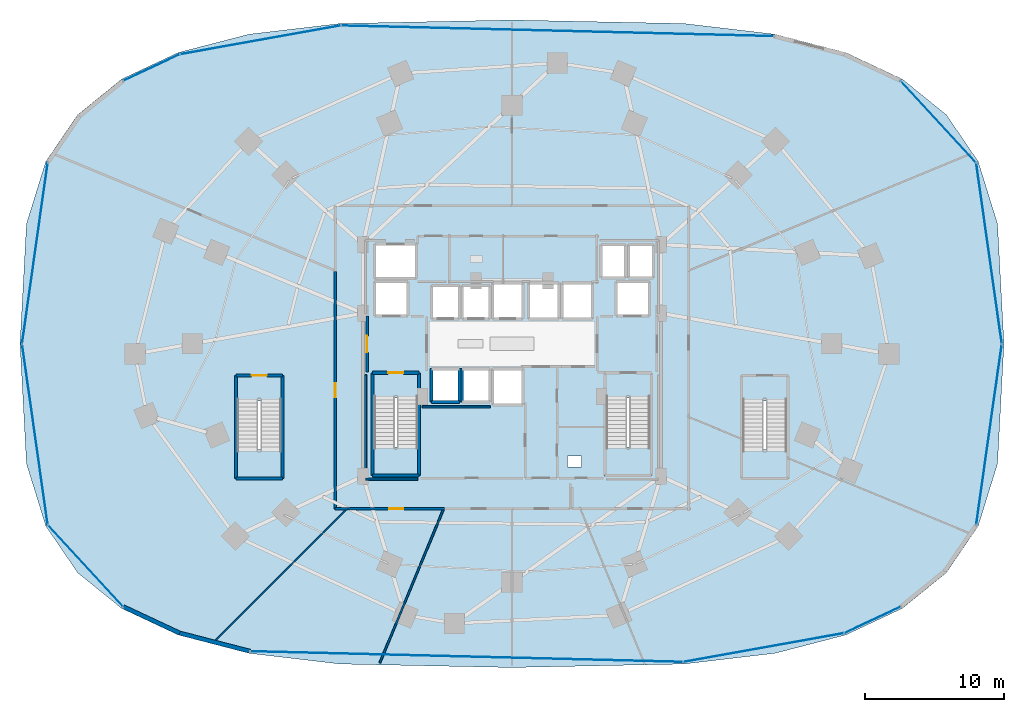
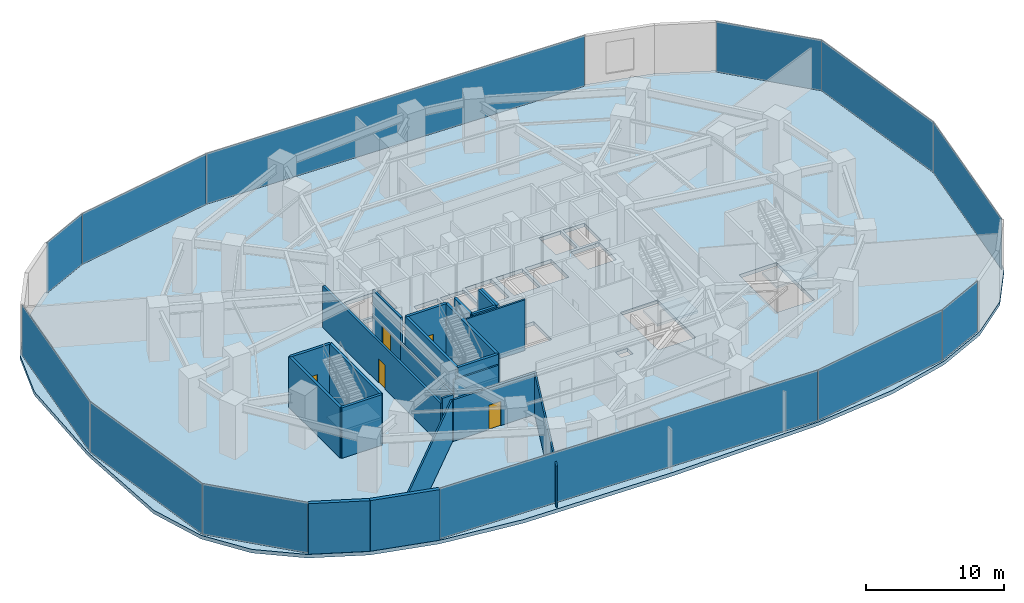
# One storey, part 21 of 27: 23 walls, 12 plates, 5 doors, 5 slabs, 5 openings, 8 elements without a shape of their own.
"""IFC4 building model written with IfcOpenShell, lengths in metres."""

from ifc_helpers import new_model, si_unit, direction, frame, frame_2d, origin, origin_2d, place, context, subcontext, project, spatial, polyline, rectangle, outline, extrude, material, layer, layer_set, type_object, element, fill, aggregate, save


model = new_model("IFC4")

# Units and contexts
model_context = context("Model", 3, precision=1e-05, world=origin(), true_north=direction((0.0, 1.0)))
body_context = subcontext(model_context, "Body", "Model", "MODEL_VIEW")
ifc_project = project(units=[si_unit("LENGTHUNIT", "METRE"), si_unit("AREAUNIT", "SQUARE_METRE"), si_unit("VOLUMEUNIT", "CUBIC_METRE"), si_unit("PLANEANGLEUNIT", "RADIAN"), si_unit("MASSUNIT", "GRAM", prefix="KILO")], contexts=[model_context])

# Site, building, storey
site_placement = place(None, origin())
site = spatial("IfcSite", under=ifc_project, at=site_placement, CompositionType="ELEMENT")
building_placement = place(site_placement, origin())
building = spatial("IfcBuilding", under=site, at=building_placement, Name="Vorneva Point Tower", CompositionType="ELEMENT")
storey_placement = place(building_placement, frame((0.0, 0.0, 4.800048828125)))
storey = spatial("IfcBuildingStorey", under=building, at=storey_placement, Name="L01", CompositionType="ELEMENT", Elevation=4.800048828125)

# Curtain wall, plates
ifc_material_1 = material(Name="Pale anodised aluminium", Category="aluminium")
curtain_wall_type = type_object("IfcCurtainWallType", Name="CW-POD-SYS", PredefinedType="NOTDEFINED", material=ifc_material_1)
curtain_wall_1_placement = place(storey_placement, origin())
curtain_wall_1 = element("IfcCurtainWall", 1, at=curtain_wall_1_placement, inside=storey, type_object=curtain_wall_type, Name="L01 Unitised Curtain Wall CW-L01-R01", PredefinedType="NOTDEFINED")
ifc_material_2 = material(Name="Double low-e laminated glass IGU", Category="glass")
ifc_layer_1 = layer(ifc_material_2, 0.035888671875)
ifc_layer_set_1 = layer_set([ifc_layer_1], Name="Double low-e laminated glass IGU")
plate_type = type_object("IfcPlateType", Name="CW-PNL-VIS", PredefinedType="CURTAIN_PANEL", material=ifc_layer_set_1)
plate_1_placement = place(storey_placement, frame((72.396484375, 19.471435546875, -0.02001953125), z_axis=(0.0, 0.0, 1.0), x_axis=(0.140348276471, 0.990102197398, 0.0)))
plate_1 = element("IfcPlate", 2, at=plate_1_placement, type_object=plate_type, Name="CW-L01-R01 Glazed Panel 01", PredefinedType="CURTAIN_PANEL", context=body_context, shape_type="SweptSolid", body=[
    extrude(rectangle(XDim=13.1376953125, YDim=0.035888671875, at=origin_2d()), origin(), (0.0, 0.0, 1.0), 4.52001953125),
])
plate_2_placement = place(storey_placement, frame((72.396484375, 32.528564453125, -0.02001953125), z_axis=(0.0, 0.0, 1.0), x_axis=(-0.140348276471, 0.990102197398, 0.0)))
plate_2 = element("IfcPlate", 3, at=plate_2_placement, type_object=plate_type, Name="CW-L01-R01 Glazed Panel 02", PredefinedType="CURTAIN_PANEL", context=body_context, shape_type="SweptSolid", body=[
    extrude(rectangle(XDim=13.1376953125, YDim=0.035888671875, at=origin_2d()), origin(), (0.0, 0.0, 1.0), 4.52001953125),
])
plate_3_placement = place(storey_placement, frame((68.746826171875, 42.01025390625, -0.02001953125), z_axis=(0.0, 0.0, 1.0), x_axis=(-0.678057049823, 0.735009276939, 0.0)))
plate_3 = element("IfcPlate", 4, at=plate_3_placement, type_object=plate_type, Name="CW-L01-R01 Glazed Panel 03", PredefinedType="CURTAIN_PANEL", context=body_context, shape_type="SweptSolid", body=[
    extrude(rectangle(XDim=7.98583984375, YDim=0.035888671875, at=origin_2d()), origin(), (0.0, 0.0, 1.0), 4.52001953125),
])
aggregate(curtain_wall_1, [plate_1, plate_2, plate_3])

curtain_wall_2_placement = place(storey_placement, origin())
curtain_wall_2 = element("IfcCurtainWall", 5, at=curtain_wall_2_placement, inside=storey, type_object=curtain_wall_type, Name="L01 Unitised Curtain Wall CW-L01-R02", PredefinedType="NOTDEFINED")
plate_4_placement = place(storey_placement, frame((41.26611328125, 48.5595703125, -0.02001953125), z_axis=(0.0, 0.0, 1.0), x_axis=(-0.99969763965, 0.024589210593, 0.0)))
plate_4 = element("IfcPlate", 6, at=plate_4_placement, type_object=plate_type, Name="CW-L01-R02 Glazed Panel 01", PredefinedType="CURTAIN_PANEL", context=body_context, shape_type="SweptSolid", body=[
    extrude(rectangle(XDim=31.2060546875, YDim=0.035888671875, at=origin_2d()), origin(), (0.0, 0.0, 1.0), 4.52001953125),
])
plate_5_placement = place(storey_placement, frame((19.840087890625, 47.90380859375, -0.02001953125), z_axis=(0.0, 0.0, 1.0), x_axis=(-0.984318996588, -0.176397599067, 0.0)))
plate_5 = element("IfcPlate", 7, at=plate_5_placement, type_object=plate_type, Name="CW-L01-R02 Glazed Panel 02", PredefinedType="CURTAIN_PANEL", context=body_context, shape_type="SweptSolid", body=[
    extrude(rectangle(XDim=11.74072265625, YDim=0.035888671875, at=origin_2d()), origin(), (0.0, 0.0, 1.0), 4.52001953125),
])
plate_6_placement = place(storey_placement, frame((12.007080078125, 45.913818359375, -0.02001953125), z_axis=(0.0, 0.0, 1.0), x_axis=(-0.905672423449, -0.423978137884, 0.0)))
plate_6 = element("IfcPlate", 8, at=plate_6_placement, type_object=plate_type, Name="CW-L01-R02 Glazed Panel 03", PredefinedType="CURTAIN_PANEL", context=body_context, shape_type="SweptSolid", body=[
    extrude(rectangle(XDim=4.432373046875, YDim=0.035888671875, at=origin_2d()), origin(), (0.0, 0.0, 1.0), 4.52001953125),
])
aggregate(curtain_wall_2, [plate_4, plate_5, plate_6])

curtain_wall_3_placement = place(storey_placement, origin())
curtain_wall_3 = element("IfcCurtainWall", 9, at=curtain_wall_3_placement, inside=storey, type_object=curtain_wall_type, Name="L01 Unitised Curtain Wall CW-L01-R03", PredefinedType="NOTDEFINED")
plate_7_placement = place(storey_placement, frame((3.603515625, 32.528564453125, -0.02001953125), z_axis=(0.0, 0.0, 1.0), x_axis=(-0.140348276471, -0.990102197398, 0.0)))
plate_7 = element("IfcPlate", 10, at=plate_7_placement, type_object=plate_type, Name="CW-L01-R03 Glazed Panel 01", PredefinedType="CURTAIN_PANEL", context=body_context, shape_type="SweptSolid", body=[
    extrude(rectangle(XDim=13.1376953125, YDim=0.035888671875, at=origin_2d()), origin(), (0.0, 0.0, 1.0), 4.52001953125),
])
plate_8_placement = place(storey_placement, frame((3.603515625, 19.471435546875, -0.02001953125), z_axis=(0.0, 0.0, 1.0), x_axis=(0.140348276471, -0.990102197398, 0.0)))
plate_8 = element("IfcPlate", 11, at=plate_8_placement, type_object=plate_type, Name="CW-L01-R03 Glazed Panel 02", PredefinedType="CURTAIN_PANEL", context=body_context, shape_type="SweptSolid", body=[
    extrude(rectangle(XDim=13.1376953125, YDim=0.035888671875, at=origin_2d()), origin(), (0.0, 0.0, 1.0), 4.52001953125),
])
plate_9_placement = place(storey_placement, frame((7.253173828125, 9.98974609375, -0.02001953125), z_axis=(0.0, 0.0, 1.0), x_axis=(0.678057049823, -0.735009276939, 0.0)))
plate_9 = element("IfcPlate", 12, at=plate_9_placement, type_object=plate_type, Name="CW-L01-R03 Glazed Panel 03", PredefinedType="CURTAIN_PANEL", context=body_context, shape_type="SweptSolid", body=[
    extrude(rectangle(XDim=7.98583984375, YDim=0.035888671875, at=origin_2d()), origin(), (0.0, 0.0, 1.0), 4.52001953125),
])
aggregate(curtain_wall_3, [plate_7, plate_8, plate_9])

curtain_wall_4_placement = place(storey_placement, origin())
curtain_wall_4 = element("IfcCurtainWall", 13, at=curtain_wall_4_placement, inside=storey, type_object=curtain_wall_type, Name="L01 Unitised Curtain Wall CW-L01-R04", PredefinedType="NOTDEFINED")
plate_10_placement = place(storey_placement, frame((34.73388671875, 3.4404296875, -0.02001953125), z_axis=(0.0, 0.0, 1.0), x_axis=(0.99969763965, -0.024589210593, 0.0)))
plate_10 = element("IfcPlate", 14, at=plate_10_placement, type_object=plate_type, Name="CW-L01-R04 Glazed Panel 01", PredefinedType="CURTAIN_PANEL", context=body_context, shape_type="SweptSolid", body=[
    extrude(rectangle(XDim=31.2060546875, YDim=0.035888671875, at=origin_2d()), origin(), (0.0, 0.0, 1.0), 4.52001953125),
])
plate_11_placement = place(storey_placement, frame((56.159912109375, 4.09619140625, -0.02001953125), z_axis=(0.0, 0.0, 1.0), x_axis=(0.984318996588, 0.176397599067, 0.0)))
plate_11 = element("IfcPlate", 15, at=plate_11_placement, type_object=plate_type, Name="CW-L01-R04 Glazed Panel 02", PredefinedType="CURTAIN_PANEL", context=body_context, shape_type="SweptSolid", body=[
    extrude(rectangle(XDim=11.74072265625, YDim=0.035888671875, at=origin_2d()), origin(), (0.0, 0.0, 1.0), 4.52001953125),
])
plate_12_placement = place(storey_placement, frame((63.992919921875, 6.086181640625, -0.02001953125), z_axis=(0.0, 0.0, 1.0), x_axis=(0.905672423449, 0.423978137884, 0.0)))
plate_12 = element("IfcPlate", 16, at=plate_12_placement, type_object=plate_type, Name="CW-L01-R04 Glazed Panel 03", PredefinedType="CURTAIN_PANEL", context=body_context, shape_type="SweptSolid", body=[
    extrude(rectangle(XDim=4.432373046875, YDim=0.035888671875, at=origin_2d()), origin(), (0.0, 0.0, 1.0), 4.52001953125),
])
aggregate(curtain_wall_4, [plate_10, plate_11, plate_12])

# Stair, slab
ifc_material_3 = material(Name="Concrete B50 (C40/50)", Category="concrete")
stair_type = type_object("IfcStairType", Name="ST-DOG-1500", PredefinedType="HALF_TURN_STAIR", material=ifc_material_3)
stair_1_placement = place(storey_placement, origin())
stair_1 = element("IfcStair", 17, at=stair_1_placement, inside=storey, type_object=stair_type, Name="L01 ST1", PredefinedType="HALF_TURN_STAIR")
ifc_layer_2 = layer(ifc_material_3, 0.199951171875)
ifc_layer_set_2 = layer_set([ifc_layer_2], Name="Concrete B50 (C40/50)")
slab_type_1 = type_object("IfcSlabType", Name="SLB-LND-200", PredefinedType="LANDING", material=ifc_layer_set_2)
slab_1_placement = place(storey_placement, frame((0.0, 0.0, 2.199951171875)))
slab_1 = element("IfcSlab", 18, at=slab_1_placement, type_object=slab_type_1, Name="ST1 landing 1", PredefinedType="LANDING", context=body_context, shape_type="SweptSolid", body=[
    extrude(outline(polyline([(27.929931640625, 16.47998046875), (31.320068359375, 16.47998046875), (31.320068359375, 18.570068359375), (27.929931640625, 18.570068359375), (27.929931640625, 16.47998046875)])), origin(), (0.0, 0.0, 1.0), 0.199951171875),
])
aggregate(stair_1, [slab_1])

stair_2_placement = place(storey_placement, origin())
stair_2 = element("IfcStair", 19, at=stair_2_placement, inside=storey, type_object=stair_type, Name="L01 ST2", PredefinedType="HALF_TURN_STAIR")
slab_2_placement = place(storey_placement, frame((0.0, 0.0, 2.199951171875)))
slab_2 = element("IfcSlab", 20, at=slab_2_placement, type_object=slab_type_1, Name="ST2 landing 1", PredefinedType="LANDING", context=body_context, shape_type="SweptSolid", body=[
    extrude(outline(polyline([(44.679931640625, 16.47998046875), (48.070068359375, 16.47998046875), (48.070068359375, 18.570068359375), (44.679931640625, 18.570068359375), (44.679931640625, 16.47998046875)])), origin(), (0.0, 0.0, 1.0), 0.199951171875),
])
aggregate(stair_2, [slab_2])

stair_3_placement = place(storey_placement, origin())
stair_3 = element("IfcStair", 21, at=stair_3_placement, inside=storey, type_object=stair_type, Name="L01 ST3", PredefinedType="HALF_TURN_STAIR")
slab_3_placement = place(storey_placement, frame((0.0, 0.0, 2.199951171875)))
slab_3 = element("IfcSlab", 22, at=slab_3_placement, type_object=slab_type_1, Name="ST3 landing 1", PredefinedType="LANDING", context=body_context, shape_type="SweptSolid", body=[
    extrude(outline(polyline([(18.080078125, 16.280029296875), (21.469970703125, 16.280029296875), (21.469970703125, 18.3701171875), (18.080078125, 18.3701171875), (18.080078125, 16.280029296875)])), origin(), (0.0, 0.0, 1.0), 0.199951171875),
])
aggregate(stair_3, [slab_3])

stair_4_placement = place(storey_placement, origin())
stair_4 = element("IfcStair", 23, at=stair_4_placement, inside=storey, type_object=stair_type, Name="L01 ST4", PredefinedType="HALF_TURN_STAIR")
slab_4_placement = place(storey_placement, frame((0.0, 0.0, 2.199951171875)))
slab_4 = element("IfcSlab", 24, at=slab_4_placement, type_object=slab_type_1, Name="ST4 landing 1", PredefinedType="LANDING", context=body_context, shape_type="SweptSolid", body=[
    extrude(outline(polyline([(54.530029296875, 16.280029296875), (57.919921875, 16.280029296875), (57.919921875, 18.3701171875), (54.530029296875, 18.3701171875), (54.530029296875, 16.280029296875)])), origin(), (0.0, 0.0, 1.0), 0.199951171875),
])
aggregate(stair_4, [slab_4])

# Slab
ifc_layer_3 = layer(ifc_material_3, 0.320068359375)
ifc_layer_set_3 = layer_set([ifc_layer_3], Name="Concrete B50 (C40/50)")
slab_type_2 = type_object("IfcSlabType", Name="SLB-POD-320", PredefinedType="FLOOR", material=ifc_layer_set_3)
slab_5_placement = place(storey_placement, frame((0.0, 0.0, -0.320068359375)))
element("IfcSlab", 25, at=slab_5_placement, inside=storey, type_object=slab_type_2, Name="L01 Structural Floor Plate", PredefinedType="FLOOR", context=body_context, shape_type="SweptSolid", body=[
    extrude(outline(polyline([(73.47412109375, 26.0), (73.00732421875, 34.652099609375), (71.615478515625, 39.140380859375), (69.321044921875, 42.508056640625), (66.143310546875, 45.084228515625), (62.06640625, 46.996826171875), (56.970947265625, 48.31640625), (50.410400390625, 49.08984375), (38.0, 49.344482421875), (25.589599609375, 49.08984375), (19.029052734375, 48.31640625), (13.93359375, 46.996826171875), (9.856689453125, 45.084228515625), (6.678955078125, 42.508056640625), (4.384521484375, 39.140380859375), (2.99267578125, 34.652099609375), (2.52587890625, 26.0), (2.99267578125, 17.347900390625), (4.384521484375, 12.859619140625), (6.678955078125, 9.491943359375), (9.856689453125, 6.915771484375), (13.93359375, 5.003173828125), (19.029052734375, 3.68359375), (25.589599609375, 2.91015625), (38.0, 2.655517578125), (50.410400390625, 2.91015625), (56.970947265625, 3.68359375), (62.06640625, 5.003173828125), (66.143310546875, 6.915771484375), (69.321044921875, 9.491943359375), (71.615478515625, 12.859619140625), (73.00732421875, 17.347900390625), (73.47412109375, 26.0)]), holes=[polyline([(32.199951171875, 27.800048828125), (34.199951171875, 27.800048828125), (34.199951171875, 30.199951171875), (32.199951171875, 30.199951171875), (32.199951171875, 27.800048828125)]), polyline([(34.39990234375, 27.800048828125), (36.39990234375, 27.800048828125), (36.39990234375, 30.199951171875), (34.39990234375, 30.199951171875), (34.39990234375, 27.800048828125)]), polyline([(36.60009765625, 27.800048828125), (38.800048828125, 27.800048828125), (38.800048828125, 30.39990234375), (36.60009765625, 30.39990234375), (36.60009765625, 27.800048828125)]), polyline([(32.199951171875, 21.800048828125), (34.199951171875, 21.800048828125), (34.199951171875, 24.199951171875), (32.199951171875, 24.199951171875), (32.199951171875, 21.800048828125)]), polyline([(34.39990234375, 21.800048828125), (36.39990234375, 21.800048828125), (36.39990234375, 24.199951171875), (34.39990234375, 24.199951171875), (34.39990234375, 21.800048828125)]), polyline([(36.60009765625, 21.60009765625), (38.800048828125, 21.60009765625), (38.800048828125, 24.199951171875), (36.60009765625, 24.199951171875), (36.60009765625, 21.60009765625)]), polyline([(39.199951171875, 27.800048828125), (41.39990234375, 27.800048828125), (41.39990234375, 30.39990234375), (39.199951171875, 30.39990234375), (39.199951171875, 27.800048828125)]), polyline([(41.60009765625, 27.800048828125), (43.800048828125, 27.800048828125), (43.800048828125, 30.39990234375), (41.60009765625, 30.39990234375), (41.60009765625, 27.800048828125)]), polyline([(44.39990234375, 30.739990234375), (46.199951171875, 30.739990234375), (46.199951171875, 33.159912109375), (44.39990234375, 33.159912109375), (44.39990234375, 30.739990234375)]), polyline([(46.39990234375, 30.739990234375), (48.199951171875, 30.739990234375), (48.199951171875, 33.159912109375), (46.39990234375, 33.159912109375), (46.39990234375, 30.739990234375)]), polyline([(28.10009765625, 28.0), (30.5, 28.0), (30.5, 30.5), (28.10009765625, 30.5), (28.10009765625, 28.0)]), polyline([(45.5, 28.0), (47.89990234375, 28.0), (47.89990234375, 30.5), (45.5, 30.5), (45.5, 28.0)]), polyline([(28.10009765625, 30.699951171875), (31.10009765625, 30.699951171875), (31.10009765625, 33.199951171875), (28.10009765625, 33.199951171875), (28.10009765625, 30.699951171875)]), polyline([(28.050048828125, 16.60009765625), (31.199951171875, 16.60009765625), (31.199951171875, 22.080078125), (28.050048828125, 22.080078125), (28.050048828125, 16.60009765625)]), polyline([(44.800048828125, 16.60009765625), (47.949951171875, 16.60009765625), (47.949951171875, 22.080078125), (44.800048828125, 22.080078125), (44.800048828125, 16.60009765625)]), polyline([(18.199951171875, 16.39990234375), (21.35009765625, 16.39990234375), (21.35009765625, 21.8798828125), (18.199951171875, 21.8798828125), (18.199951171875, 16.39990234375)]), polyline([(54.64990234375, 16.39990234375), (57.800048828125, 16.39990234375), (57.800048828125, 21.8798828125), (54.64990234375, 21.8798828125), (54.64990234375, 16.39990234375)]), polyline([(42.0, 17.10009765625), (43.0, 17.10009765625), (43.0, 17.89990234375), (42.0, 17.89990234375), (42.0, 17.10009765625)])]), origin(), (0.0, 0.0, 1.0), 0.320068359375),
])

# Walls
ifc_material_4 = material(Name="Precast concrete B50 (C40/50)", Category="concrete")
ifc_layer_4 = layer(ifc_material_4, 0.300048828125)
ifc_layer_set_4 = layer_set([ifc_layer_4], Name="Precast concrete B50 (C40/50)")
wall_type_1 = type_object("IfcWallType", Name="WL-EXT-300", PredefinedType="STANDARD", material=ifc_layer_set_4)
wall_1_placement = place(storey_placement, frame((9.9775390625, 7.03662109375, 0.0), z_axis=(0.0, 0.0, 1.0), x_axis=(0.905655072563, -0.424015199657, 0.0)))
element("IfcWall", 26, at=wall_1_placement, inside=storey, type_object=wall_type_1, Name="L01 Pale-Metal Facade Spandrel Wall 11.1", PredefinedType="STANDARD", context=body_context, shape_type="SweptSolid", body=[
    extrude(rectangle(XDim=4.482421875, YDim=0.300048828125, at=frame_2d((2.2412109375, 0.0))), origin(), (0.0, 0.0, 1.0), 4.47998046875),
])
wall_2_placement = place(storey_placement, frame((14.037109375, 5.135986328125, 0.0), z_axis=(0.0, 0.0, 1.0), x_axis=(0.968182342492, -0.250245782556, 0.0)))
element("IfcWall", 27, at=wall_2_placement, inside=storey, type_object=wall_type_1, Name="L01 Pale-Metal Facade Spandrel Wall 11.2", PredefinedType="STANDARD", context=body_context, shape_type="SweptSolid", body=[
    extrude(rectangle(XDim=5.239990234375, YDim=0.300048828125, at=frame_2d((2.6201171875, 0.0))), origin(), (0.0, 0.0, 1.0), 4.47998046875),
])
ifc_material_5 = material(Name="Fire-rated acoustic gypsum stud partition", Category="gypsum")
ifc_layer_5 = layer(ifc_material_5, 0.125)
ifc_layer_set_5 = layer_set([ifc_layer_5], Name="Fire-rated acoustic gypsum stud partition")
wall_type_2 = type_object("IfcWallType", Name="WL-PART-125", PredefinedType="PARTITIONING", material=ifc_layer_set_5)
wall_3_placement = place(storey_placement, frame((16.4951171875, 4.4951171875, 0.0), z_axis=(0.0, 0.0, 1.0), x_axis=(0.707106781187, 0.707106781187, 0.0)))
element("IfcWall", 28, at=wall_3_placement, inside=storey, type_object=wall_type_2, Name="L01 Interior Partition 040", PredefinedType="PARTITIONING", context=body_context, shape_type="SweptSolid", body=[
    extrude(rectangle(XDim=13.58349609375, YDim=0.125, at=frame_2d((6.791748046875, 0.0))), origin(), (0.0, 0.0, 1.0), 3.76904296875),
])
wall_4_placement = place(storey_placement, frame((28.472900390625, 3.0009765625, 0.0), z_axis=(0.0, 0.0, 1.0), x_axis=(0.382735867727, 0.92385781133, 0.0)))
element("IfcWall", 29, at=wall_4_placement, inside=storey, type_object=wall_type_2, Name="L01 Interior Partition 041", PredefinedType="PARTITIONING", context=body_context, shape_type="SweptSolid", body=[
    extrude(rectangle(XDim=12.013916015625, YDim=0.125, at=frame_2d((6.0068359375, 0.0))), origin(), (0.0, 0.0, 1.0), 3.671875),
])
ifc_layer_6 = layer(ifc_material_5, 0.139892578125)
ifc_layer_set_6 = layer_set([ifc_layer_6], Name="Fire-rated acoustic gypsum stud partition")
wall_type_3 = type_object("IfcWallType", Name="WL-PART-140", PredefinedType="PARTITIONING", material=ifc_layer_set_6)
wall_5_placement = place(storey_placement, frame((36.43896484375, 21.449951171875, 0.0), z_axis=(0.0, 0.0, 1.0), x_axis=(-1.0, 0.0, 0.0)))
element("IfcWall", 30, at=wall_5_placement, inside=storey, type_object=wall_type_3, Name="L01 Interior Closure Partition 053", PredefinedType="PARTITIONING", context=body_context, shape_type="SweptSolid", body=[
    extrude(rectangle(XDim=4.908935546875, YDim=0.139892578125, at=frame_2d((2.45458984375, 0.0))), origin(), (0.0, 0.0, 1.0), 4.47998046875),
])
wall_6_placement = place(storey_placement, frame((31.195068359375, 16.239990234375, 0.0), z_axis=(0.0, 0.0, 1.0), x_axis=(-1.0, 0.0, 0.0)))
element("IfcWall", 31, at=wall_6_placement, inside=storey, type_object=wall_type_3, Name="L01 Interior Closure Partition 058", PredefinedType="PARTITIONING", context=body_context, shape_type="SweptSolid", body=[
    extrude(rectangle(XDim=3.7451171875, YDim=0.139892578125, at=frame_2d((1.87255859375, 0.0))), origin(), (0.0, 0.0, 1.0), 3.671875),
])
wall_7_placement = place(storey_placement, frame((27.449951171875, 16.239990234375, 0.0), z_axis=(0.0, 0.0, 1.0), x_axis=(0.0, 1.0, 0.0)))
element("IfcWall", 32, at=wall_7_placement, inside=storey, type_object=wall_type_3, Name="L01 Interior Closure Partition 059", PredefinedType="PARTITIONING", context=body_context, shape_type="SweptSolid", body=[
    extrude(rectangle(XDim=7.513916015625, YDim=0.139892578125, at=frame_2d((3.7568359375, 0.0))), origin(), (0.0, 0.0, 1.0), 2.406005859375),
])

# Wall, opening, door
ifc_material_6 = material(Name="Autoclaved aerated concrete blockwork", Category="masonry")
ifc_layer_7 = layer(ifc_material_6, 0.179931640625)
ifc_layer_set_7 = layer_set([ifc_layer_7], Name="Autoclaved aerated concrete blockwork")
wall_type_4 = type_object("IfcWallType", Name="WL-PART-180", PredefinedType="PARTITIONING", material=ifc_layer_set_7)
wall_8_placement = place(storey_placement, frame((27.550048828125, 28.0, 0.0), z_axis=(0.0, 0.0, 1.0), x_axis=(0.0, -1.0, 0.0)))
wall_8 = element("IfcWall", 33, at=wall_8_placement, inside=storey, type_object=wall_type_4, Name="L01 Interior Partition 002", PredefinedType="PARTITIONING", context=body_context, shape_type="SweptSolid", body=[
    extrude(rectangle(XDim=4.050048828125, YDim=0.179931640625, at=frame_2d((2.02490234375, 0.0))), origin(), (0.0, 0.0, 1.0), 4.47998046875),
])
opening_1_placement = place(wall_8_placement, frame((1.425048828125, 0.0, 0.0)))
opening_1 = element("IfcOpeningElement", 34, at=opening_1_placement, cuts=wall_8, Name="Opening FD-02", PredefinedType="OPENING", context=body_context, shape_type="SweptSolid", body=[
    extrude(rectangle(XDim=1.199951171875, YDim=2.14990234375, at=frame_2d((0.60009765625, 1.074951171875))), frame((0.0, 0.10498046875, 0.0), z_axis=(0.0, -1.0, 0.0), x_axis=(1.0, 0.0, 0.0)), (0.0, 0.0, 1.0), 0.209716796875),
])
ifc_material_7 = material(Name="Fire-rated powder-coated steel", Category="steel")
door_type_1 = type_object("IfcDoorType", Name="DR-FFL-1200", OperationType="NOTDEFINED", PredefinedType="DOOR", material=ifc_material_7)
door_1_placement = place(opening_1_placement, origin())
door_1 = element("IfcDoor", 35, at=door_1_placement, inside=storey, type_object=door_type_1, Name="L01 Door West Firefighting Lobby / L01 Circulation Corridor", OperationType="SINGLE_SWING_RIGHT", OverallHeight=2.14990234375, OverallWidth=1.199951171875, PredefinedType="DOOR", context=body_context, shape_type="SweptSolid", body=[
    extrude(rectangle(XDim=1.199951171875, YDim=2.14990234375, at=frame_2d((0.60009765625, 1.074951171875))), frame((0.0, 0.02490234375, 0.0), z_axis=(0.0, -1.0, 0.0), x_axis=(1.0, 0.0, 0.0)), (0.0, 0.0, 1.0), 0.050048828125),
])
fill(opening_1, door_1)

wall_9_placement = place(storey_placement, frame((25.25, 31.220947265625, 0.0), z_axis=(0.0, 0.0, 1.0), x_axis=(0.0, -1.0, 0.0)))
wall_9 = element("IfcWall", 36, at=wall_9_placement, inside=storey, type_object=wall_type_4, Name="L01 Interior Partition 026", PredefinedType="PARTITIONING", context=body_context, shape_type="SweptSolid", body=[
    extrude(rectangle(XDim=17.120849609375, YDim=0.179931640625, at=frame_2d((8.560546875, 0.0))), origin(), (0.0, 0.0, 1.0), 3.671875),
])
opening_2_placement = place(wall_9_placement, frame((8.060546875, 0.0, 0.0)))
opening_2 = element("IfcOpeningElement", 37, at=opening_2_placement, cuts=wall_9, Name="Opening UD-01", PredefinedType="OPENING", context=body_context, shape_type="SweptSolid", body=[
    extrude(rectangle(XDim=1.0, YDim=2.14990234375, at=frame_2d((0.5, 1.074951171875))), frame((0.0, 0.10498046875, 0.0), z_axis=(0.0, -1.0, 0.0), x_axis=(1.0, 0.0, 0.0)), (0.0, 0.0, 1.0), 0.209716796875),
])
ifc_material_8 = material(Name="Engineered oak fire-rated door leaf", Category="wood")
door_type_2 = type_object("IfcDoorType", Name="DR-UNIT-1000", OperationType="NOTDEFINED", PredefinedType="DOOR", material=ifc_material_8)
door_2_placement = place(opening_2_placement, origin())
door_2 = element("IfcDoor", 38, at=door_2_placement, inside=storey, type_object=door_type_2, Name="L01 Door L01 Circulation Corridor / Riverfront Cafe L01", OperationType="SINGLE_SWING_LEFT", OverallHeight=2.14990234375, OverallWidth=1.0, PredefinedType="DOOR", context=body_context, shape_type="SweptSolid", body=[
    extrude(rectangle(XDim=1.0, YDim=2.14990234375, at=frame_2d((0.5, 1.074951171875))), frame((0.0, 0.02490234375, 0.0), z_axis=(0.0, -1.0, 0.0), x_axis=(1.0, 0.0, 0.0)), (0.0, 0.0, 1.0), 0.050048828125),
])
fill(opening_2, door_2)

# Wall
wall_10_placement = place(storey_placement, frame((25.25, 14.10009765625, 0.0), z_axis=(0.0, 0.0, 1.0), x_axis=(1.0, 0.0, 0.0)))
element("IfcWall", 39, at=wall_10_placement, inside=storey, type_object=wall_type_4, Name="L01 Interior Partition 027", PredefinedType="PARTITIONING", context=body_context, shape_type="SweptSolid", body=[
    extrude(rectangle(XDim=0.909912109375, YDim=0.179931640625, at=frame_2d((0.455078125, 0.0))), origin(), (0.0, 0.0, 1.0), 4.1259765625),
])

# Wall, opening, door
wall_11_placement = place(storey_placement, frame((26.159912109375, 14.10009765625, 0.0), z_axis=(0.0, 0.0, 1.0), x_axis=(1.0, 0.0, 0.0)))
wall_11 = element("IfcWall", 40, at=wall_11_placement, inside=storey, type_object=wall_type_4, Name="L01 Interior Partition 028", PredefinedType="PARTITIONING", context=body_context, shape_type="SweptSolid", body=[
    extrude(rectangle(XDim=6.97119140625, YDim=0.179931640625, at=frame_2d((3.485595703125, 0.0))), origin(), (0.0, 0.0, 1.0), 3.671875),
])
opening_3_placement = place(wall_11_placement, frame((2.985595703125, 0.0, 0.0)))
opening_3 = element("IfcOpeningElement", 41, at=opening_3_placement, cuts=wall_11, Name="Opening UD-01", PredefinedType="OPENING", context=body_context, shape_type="SweptSolid", body=[
    extrude(rectangle(XDim=1.0, YDim=2.14990234375, at=frame_2d((0.5, 1.074951171875))), frame((0.0, 0.10498046875, 0.0), z_axis=(0.0, -1.0, 0.0), x_axis=(1.0, 0.0, 0.0)), (0.0, 0.0, 1.0), 0.209716796875),
])
door_3_placement = place(opening_3_placement, origin())
door_3 = element("IfcDoor", 42, at=door_3_placement, inside=storey, type_object=door_type_2, Name="L01 Door L01 Circulation Corridor / Riverfront Dining Lounge L01", OperationType="SINGLE_SWING_RIGHT", OverallHeight=2.14990234375, OverallWidth=1.0, PredefinedType="DOOR", context=body_context, shape_type="SweptSolid", body=[
    extrude(rectangle(XDim=1.0, YDim=2.14990234375, at=frame_2d((0.5, 1.074951171875))), frame((0.0, 0.02490234375, 0.0), z_axis=(0.0, -1.0, 0.0), x_axis=(1.0, 0.0, 0.0)), (0.0, 0.0, 1.0), 0.050048828125),
])
fill(opening_3, door_3)

ifc_layer_8 = layer(ifc_material_3, 0.219970703125)
ifc_layer_set_8 = layer_set([ifc_layer_8], Name="Concrete B50 (C40/50)")
wall_type_5 = type_object("IfcWallType", Name="WL-SHFT-220", PredefinedType="SOLIDWALL", material=ifc_layer_set_8)
wall_12_placement = place(storey_placement, frame((27.93994140625, 23.909912109375, 0.0), z_axis=(0.0, 0.0, 1.0), x_axis=(1.0, 0.0, 0.0)))
wall_12 = element("IfcWall", 43, at=wall_12_placement, inside=storey, type_object=wall_type_5, Name="L01 Exit Stair ST1 Shaft Wall near", PredefinedType="SOLIDWALL", context=body_context, shape_type="SweptSolid", body=[
    extrude(rectangle(XDim=3.3701171875, YDim=0.219970703125, at=frame_2d((1.68505859375, 0.0))), origin(), (0.0, 0.0, 1.0), 4.47998046875),
])
opening_4_placement = place(wall_12_placement, frame((1.135009765625, 0.0, 0.0)))
opening_4 = element("IfcOpeningElement", 44, at=opening_4_placement, cuts=wall_12, Name="Opening FD-01", PredefinedType="OPENING", context=body_context, shape_type="SweptSolid", body=[
    extrude(rectangle(XDim=1.10009765625, YDim=2.14990234375, at=frame_2d((0.550048828125, 1.074951171875))), frame((0.0, 0.125, 0.0), z_axis=(0.0, -1.0, 0.0), x_axis=(1.0, 0.0, 0.0)), (0.0, 0.0, 1.0), 0.249755859375),
])
door_type_3 = type_object("IfcDoorType", Name="DR-STAIR-1100", OperationType="NOTDEFINED", PredefinedType="DOOR", material=ifc_material_7)
door_4_placement = place(opening_4_placement, origin())
door_4 = element("IfcDoor", 45, at=door_4_placement, inside=storey, type_object=door_type_3, Name="L01 Exit Stair ST1 Fire Door", OperationType="SINGLE_SWING_LEFT", OverallHeight=2.14990234375, OverallWidth=1.10009765625, PredefinedType="DOOR", context=body_context, shape_type="SweptSolid", body=[
    extrude(rectangle(XDim=1.10009765625, YDim=2.14990234375, at=frame_2d((0.550048828125, 1.074951171875))), frame((0.0, 0.02490234375, 0.0), z_axis=(0.0, -1.0, 0.0), x_axis=(1.0, 0.0, 0.0)), (0.0, 0.0, 1.0), 0.050048828125),
])
fill(opening_4, door_4)

# Walls
wall_13_placement = place(storey_placement, frame((31.31005859375, 23.909912109375, 0.0), z_axis=(0.0, 0.0, 1.0), x_axis=(0.0, -1.0, 0.0)))
element("IfcWall", 46, at=wall_13_placement, inside=storey, type_object=wall_type_5, Name="L01 Exit Stair ST1 Shaft Wall right", PredefinedType="SOLIDWALL", context=body_context, shape_type="SweptSolid", body=[
    extrude(rectangle(XDim=7.419921875, YDim=0.219970703125, at=frame_2d((3.7099609375, 0.0))), origin(), (0.0, 0.0, 1.0), 4.47998046875),
])
wall_14_placement = place(storey_placement, frame((31.31005859375, 16.489990234375, 0.0), z_axis=(0.0, 0.0, 1.0), x_axis=(-1.0, 0.0, 0.0)))
element("IfcWall", 47, at=wall_14_placement, inside=storey, type_object=wall_type_5, Name="L01 Exit Stair ST1 Shaft Wall far", PredefinedType="SOLIDWALL", context=body_context, shape_type="SweptSolid", body=[
    extrude(rectangle(XDim=3.3701171875, YDim=0.219970703125, at=frame_2d((1.68505859375, 0.0))), origin(), (0.0, 0.0, 1.0), 4.47998046875),
])
wall_15_placement = place(storey_placement, frame((27.93994140625, 16.489990234375, 0.0), z_axis=(0.0, 0.0, 1.0), x_axis=(0.0, 1.0, 0.0)))
element("IfcWall", 48, at=wall_15_placement, inside=storey, type_object=wall_type_5, Name="L01 Exit Stair ST1 Shaft Wall left", PredefinedType="SOLIDWALL", context=body_context, shape_type="SweptSolid", body=[
    extrude(rectangle(XDim=7.419921875, YDim=0.219970703125, at=frame_2d((3.7099609375, 0.0))), origin(), (0.0, 0.0, 1.0), 4.47998046875),
])

# Wall, opening, door
wall_16_placement = place(storey_placement, frame((18.090087890625, 23.7099609375, 0.0), z_axis=(0.0, 0.0, 1.0), x_axis=(1.0, 0.0, 0.0)))
wall_16 = element("IfcWall", 49, at=wall_16_placement, inside=storey, type_object=wall_type_5, Name="L01 Exit Stair ST3 Shaft Wall near", PredefinedType="SOLIDWALL", context=body_context, shape_type="SweptSolid", body=[
    extrude(rectangle(XDim=3.369873046875, YDim=0.219970703125, at=frame_2d((1.68505859375, 0.0))), origin(), (0.0, 0.0, 1.0), 4.47998046875),
])
opening_5_placement = place(wall_16_placement, frame((1.135009765625, 0.0, 0.0)))
opening_5 = element("IfcOpeningElement", 50, at=opening_5_placement, cuts=wall_16, Name="Opening FD-01", PredefinedType="OPENING", context=body_context, shape_type="SweptSolid", body=[
    extrude(rectangle(XDim=1.10009765625, YDim=2.14990234375, at=frame_2d((0.550048828125, 1.074951171875))), frame((0.0, 0.125, 0.0), z_axis=(0.0, -1.0, 0.0), x_axis=(1.0, 0.0, 0.0)), (0.0, 0.0, 1.0), 0.249755859375),
])
door_5_placement = place(opening_5_placement, origin())
door_5 = element("IfcDoor", 51, at=door_5_placement, inside=storey, type_object=door_type_3, Name="L01 Exit Stair ST3 Fire Door", OperationType="SINGLE_SWING_LEFT", OverallHeight=2.14990234375, OverallWidth=1.10009765625, PredefinedType="DOOR", context=body_context, shape_type="SweptSolid", body=[
    extrude(rectangle(XDim=1.10009765625, YDim=2.14990234375, at=frame_2d((0.550048828125, 1.074951171875))), frame((0.0, 0.02490234375, 0.0), z_axis=(0.0, -1.0, 0.0), x_axis=(1.0, 0.0, 0.0)), (0.0, 0.0, 1.0), 0.050048828125),
])
fill(opening_5, door_5)

# Walls
wall_17_placement = place(storey_placement, frame((21.4599609375, 23.7099609375, 0.0), z_axis=(0.0, 0.0, 1.0), x_axis=(0.0, -1.0, 0.0)))
element("IfcWall", 52, at=wall_17_placement, inside=storey, type_object=wall_type_5, Name="L01 Exit Stair ST3 Shaft Wall right", PredefinedType="SOLIDWALL", context=body_context, shape_type="SweptSolid", body=[
    extrude(rectangle(XDim=7.419921875, YDim=0.219970703125, at=frame_2d((3.7099609375, 0.0))), origin(), (0.0, 0.0, 1.0), 4.47998046875),
])
wall_18_placement = place(storey_placement, frame((21.4599609375, 16.2900390625, 0.0), z_axis=(0.0, 0.0, 1.0), x_axis=(-1.0, 0.0, 0.0)))
element("IfcWall", 53, at=wall_18_placement, inside=storey, type_object=wall_type_5, Name="L01 Exit Stair ST3 Shaft Wall far", PredefinedType="SOLIDWALL", context=body_context, shape_type="SweptSolid", body=[
    extrude(rectangle(XDim=3.369873046875, YDim=0.219970703125, at=frame_2d((1.68505859375, 0.0))), origin(), (0.0, 0.0, 1.0), 4.47998046875),
])
wall_19_placement = place(storey_placement, frame((18.090087890625, 16.2900390625, 0.0), z_axis=(0.0, 0.0, 1.0), x_axis=(0.0, 1.0, 0.0)))
element("IfcWall", 54, at=wall_19_placement, inside=storey, type_object=wall_type_5, Name="L01 Exit Stair ST3 Shaft Wall left", PredefinedType="SOLIDWALL", context=body_context, shape_type="SweptSolid", body=[
    extrude(rectangle(XDim=7.419921875, YDim=0.219970703125, at=frame_2d((3.7099609375, 0.0))), origin(), (0.0, 0.0, 1.0), 4.47998046875),
])
wall_20_placement = place(storey_placement, frame((32.199951171875, 21.800048828125, 0.0), z_axis=(0.0, 0.0, 1.0), x_axis=(1.0, 0.0, 0.0)))
element("IfcWall", 55, at=wall_20_placement, inside=storey, type_object=wall_type_5, Name="L01 Lift PL4 Shaft Wall -Y", PredefinedType="SOLIDWALL", context=body_context, shape_type="SweptSolid", body=[
    extrude(rectangle(XDim=2.0, YDim=0.219970703125, at=frame_2d((1.0, 0.0))), origin(), (0.0, 0.0, 1.0), 4.47998046875),
])
for number, where, z_axis, x_axis, name in (
    (56, (34.199951171875, 21.800048828125, 0.0), (0.0, 0.0, 1.0), (0.0, 1.0, 0.0), "L01 Lift PL4 Shaft Wall +X"),
    (57, (32.199951171875, 24.199951171875, 0.0), (0.0, 0.0, 1.0), (0.0, -1.0, 0.0), "L01 Lift PL4 Shaft Wall -X"),
    (58, (34.39990234375, 24.199951171875, 0.0), (0.0, 0.0, 1.0), (0.0, -1.0, 0.0), "L01 Lift PL5 Shaft Wall -X"),
):
    element("IfcWall", number, at=place(storey_placement, frame(where, z_axis=z_axis, x_axis=x_axis)), inside=storey, type_object=wall_type_5, Name=name, PredefinedType="SOLIDWALL", context=body_context, shape_type="SweptSolid", body=[
        extrude(rectangle(XDim=2.39990234375, YDim=0.219970703125, at=frame_2d((1.199951171875, 0.0))), origin(), (0.0, 0.0, 1.0), 4.47998046875),
    ])

save(model, "model.ifc")
